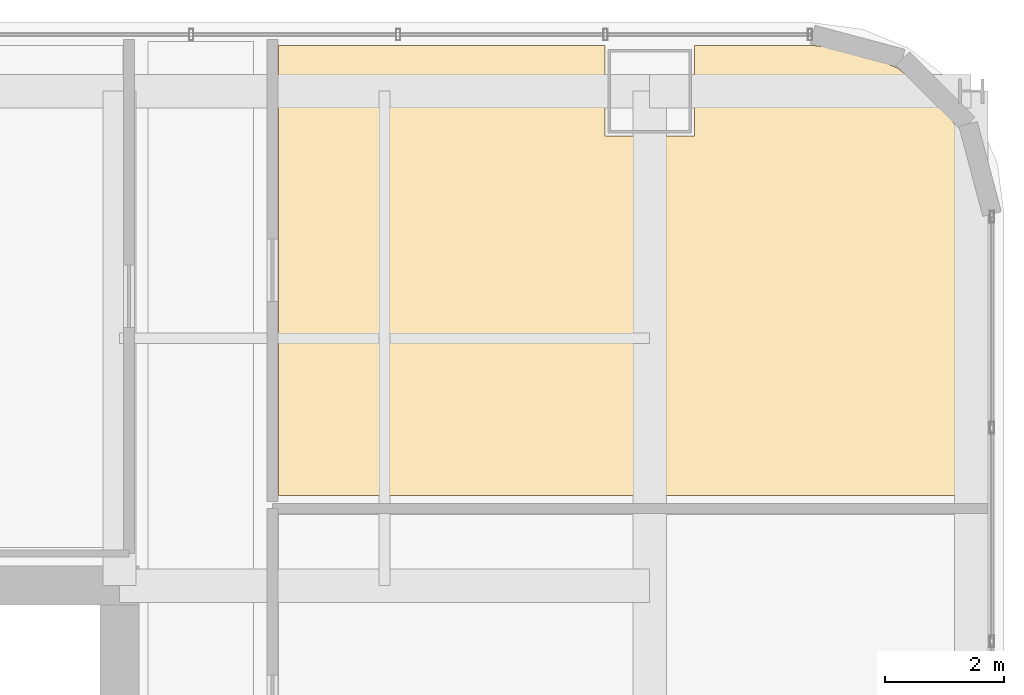
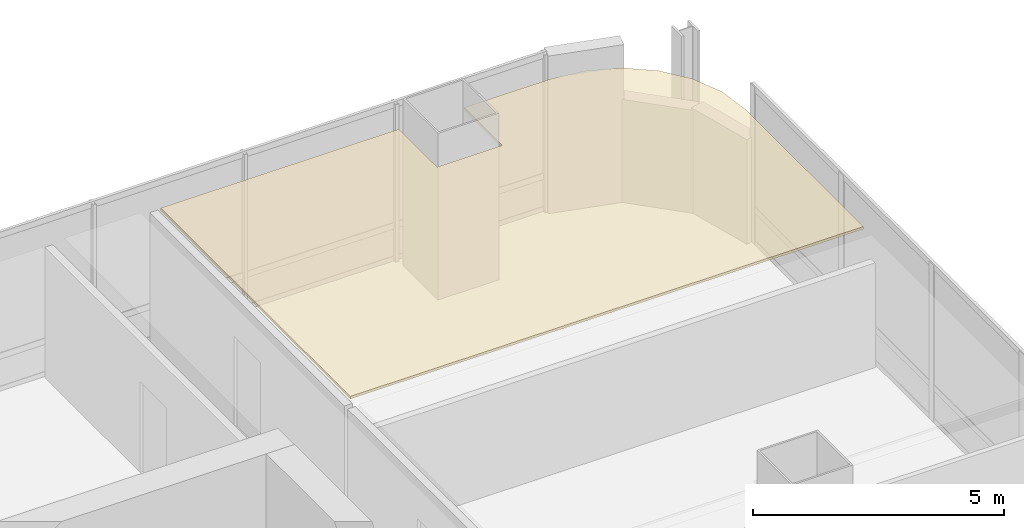
# One storey, part 41 of 41: 1 covering.
"""IFC4 building model written with IfcOpenShell, lengths in metres."""

from ifc_helpers import new_model, si_unit, direction, frame, origin, place, context, subcontext, project, spatial, polyline, outline, extrude, material, layer, layer_set, type_object, element, save


model = new_model("IFC4")

# Units and contexts
model_context = context("Model", 3, precision=1e-05, world=origin(), true_north=direction((0.0, 1.0)))
body_context = subcontext(model_context, "Body", "Model", "MODEL_VIEW")
ifc_project = project(units=[si_unit("LENGTHUNIT", "METRE"), si_unit("AREAUNIT", "SQUARE_METRE"), si_unit("VOLUMEUNIT", "CUBIC_METRE"), si_unit("PLANEANGLEUNIT", "RADIAN"), si_unit("MASSUNIT", "GRAM", prefix="KILO")], contexts=[model_context])

# Site, building, storey
site_placement = place(None, origin())
site = spatial("IfcSite", under=ifc_project, at=site_placement, CompositionType="ELEMENT")
building_placement = place(site_placement, origin())
building = spatial("IfcBuilding", under=site, at=building_placement, Name="Punatoya Terracotta Tower", CompositionType="ELEMENT")
storey_placement = place(building_placement, frame((0.0, 0.0, 220.800048828125)))
storey = spatial("IfcBuildingStorey", under=building, at=storey_placement, Name="L52", CompositionType="ELEMENT", Elevation=220.800048828125)

# Covering
ifc_material = material(Name="Acoustic Mineral Fibre Ceiling")
ifc_layer = layer(ifc_material, 0.06005859375)
ifc_layer_set = layer_set([ifc_layer], Name="Acoustic Mineral Fibre Ceiling")
covering_type = type_object("IfcCoveringType", Name="COV-CEIL-60", PredefinedType="CEILING", material=ifc_layer_set)
covering_placement = place(storey_placement, frame((0.0, 0.0, 3.219970703125)))
element("IfcCovering", 1, at=covering_placement, inside=storey, type_object=covering_type, Name="L52 Open-Plan Urban Analytics Laboratory Acoustic Ceiling", PredefinedType="CEILING", context=body_context, shape_type="SweptSolid", body=[
    extrude(outline(polyline([(18.35009765625, 16.75), (18.35009765625, 18.27001953125), (12.8701171875, 18.27001953125), (12.8701171875, 10.714111328125), (24.669921875, 10.714111328125), (24.669921875, 15.425048828125), (24.57080078125, 16.178955078125), (24.289306640625, 16.8583984375), (23.841796875, 17.441650390625), (23.25830078125, 17.889404296875), (22.5791015625, 18.1708984375), (21.8251953125, 18.27001953125), (19.85009765625, 18.27001953125), (19.85009765625, 16.75), (18.35009765625, 16.75)])), origin(), (0.0, 0.0, 1.0), 0.06005859375),
])

save(model, "model.ifc")
